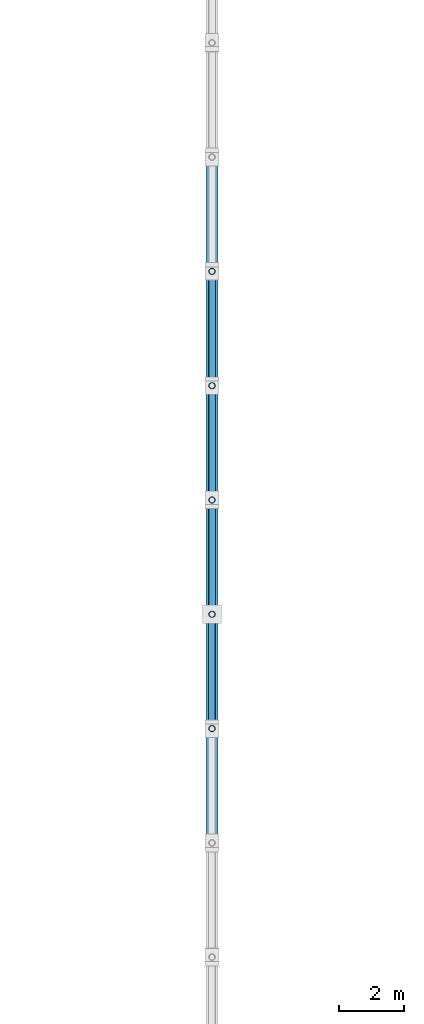
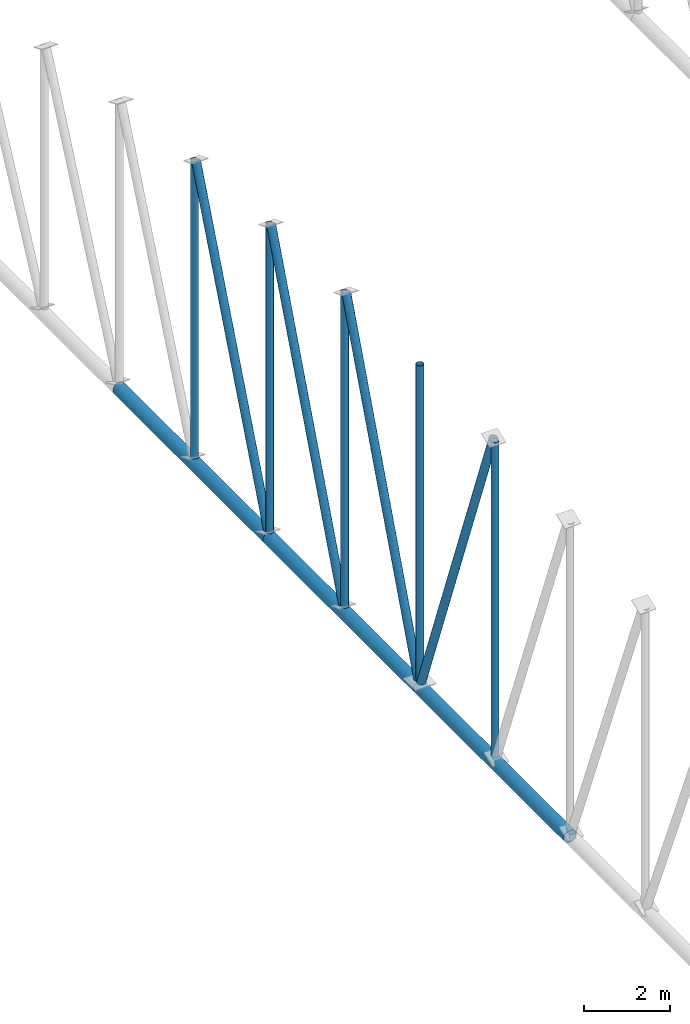
# One storey, part 62 of 196: 12 members.
"""IFC4 building model written with IfcOpenShell, lengths in metres."""

from ifc_helpers import new_model, si_unit, direction, frame, origin, origin_2d, place, context, subcontext, project, spatial, hollow_circle, extrude, material, material_profile, profile_set, type_object, element, save


model = new_model("IFC4")

# Units and contexts
model_context = context("Model", 3, precision=1e-05, world=origin(), true_north=direction((0.0, 1.0)))
body_context = subcontext(model_context, "Body", "Model", "MODEL_VIEW")
ifc_project = project(units=[si_unit("LENGTHUNIT", "METRE"), si_unit("AREAUNIT", "SQUARE_METRE"), si_unit("VOLUMEUNIT", "CUBIC_METRE"), si_unit("PLANEANGLEUNIT", "RADIAN"), si_unit("MASSUNIT", "GRAM", prefix="KILO")], contexts=[model_context])

# Site, building, storey
site_placement = place(None, origin())
site = spatial("IfcSite", under=ifc_project, at=site_placement, CompositionType="ELEMENT")
building_placement = place(site_placement, origin())
building = spatial("IfcBuilding", under=site, at=building_placement, Name="Okhra Congress Centre", CompositionType="ELEMENT")
storey_placement = place(building_placement, frame((0.0, 0.0, 12.0)))
storey = spatial("IfcBuildingStorey", under=building, at=storey_placement, Name="L02", CompositionType="ELEMENT", Elevation=12.0)

# Members
ifc_material = material(Name="Steel S355J2H", Category="steel")
ifc_material_profile_1 = material_profile(ifc_material, hollow_circle(Radius=0.096923828125, WallThickness=0.008056640625, at=origin_2d()), Name="CHS 193.7x8.0")
ifc_profile_set_1 = profile_set([ifc_material_profile_1], Name="Steel S355J2H")
member_type_1 = type_object("IfcMemberType", Name="CHS 193.7x8.0", PredefinedType="POST", material=ifc_profile_set_1)
member_1_placement = place(storey_placement, frame((64.0, 170.5, 1.577880859375), z_axis=(0.0, 0.0, 1.0), x_axis=(1.0, 0.0, 0.0)))
element("IfcMember", 1, at=member_1_placement, inside=storey, type_object=member_type_1, Name="EH.MEM.L02.T3-VER-11", PredefinedType="POST", context=body_context, shape_type="SweptSolid", body=[
    extrude(hollow_circle(Radius=0.096923828125, WallThickness=0.008056640625, at=origin_2d()), origin(), (0.0, 0.0, 1.0), 8.95654296875),
])
member_2_placement = place(storey_placement, frame((64.0, 174.0, 1.577880859375), z_axis=(0.0, 0.0, 1.0), x_axis=(1.0, 0.0, 0.0)))
element("IfcMember", 2, at=member_2_placement, inside=storey, type_object=member_type_1, Name="EH.MEM.L02.T3-VER-12", PredefinedType="POST", context=body_context, shape_type="SweptSolid", body=[
    extrude(hollow_circle(Radius=0.096923828125, WallThickness=0.008056640625, at=origin_2d()), origin(), (0.0, 0.0, 1.0), 9.018798828125),
])
member_3_placement = place(storey_placement, frame((64.0, 177.5, 1.577880859375), z_axis=(0.0, 0.0, 1.0), x_axis=(1.0, 0.0, 0.0)))
element("IfcMember", 3, at=member_3_placement, inside=storey, type_object=member_type_1, Name="EH.MEM.L02.T3-VER-13", PredefinedType="POST", context=body_context, shape_type="SweptSolid", body=[
    extrude(hollow_circle(Radius=0.096923828125, WallThickness=0.008056640625, at=origin_2d()), origin(), (0.0, 0.0, 1.0), 8.95654296875),
])
member_4_placement = place(storey_placement, frame((64.0, 181.0, 1.577880859375), z_axis=(0.0, 0.0, 1.0), x_axis=(1.0, 0.0, 0.0)))
element("IfcMember", 4, at=member_4_placement, inside=storey, type_object=member_type_1, Name="EH.MEM.L02.T3-VER-14", PredefinedType="POST", context=body_context, shape_type="SweptSolid", body=[
    extrude(hollow_circle(Radius=0.096923828125, WallThickness=0.008056640625, at=origin_2d()), origin(), (0.0, 0.0, 1.0), 8.76953125),
])
member_5_placement = place(storey_placement, frame((64.0, 184.5, 1.577880859375), z_axis=(0.0, 0.0, 1.0), x_axis=(1.0, 0.0, 0.0)))
element("IfcMember", 5, at=member_5_placement, inside=storey, type_object=member_type_1, Name="EH.MEM.L02.T3-VER-15", PredefinedType="POST", context=body_context, shape_type="SweptSolid", body=[
    extrude(hollow_circle(Radius=0.096923828125, WallThickness=0.008056640625, at=origin_2d()), origin(), (0.0, 0.0, 1.0), 8.456787109375),
])
ifc_material_profile_2 = material_profile(ifc_material, hollow_circle(Radius=0.109619140625, WallThickness=0.010009765625, at=origin_2d()), Name="CHS 219.1x10.0")
ifc_profile_set_2 = profile_set([ifc_material_profile_2], Name="Steel S355J2H")
member_type_2 = type_object("IfcMemberType", Name="CHS 219.1x10.0", PredefinedType="BRACE", material=ifc_profile_set_2)
for number, where, z_axis, x_axis, name in (
    (6, (64.0, 170.568359375, 10.55517578125), (0.0, 0.35098669327, -0.936380446799), (-1.0, 0.0, 0.0), "EH.MEM.L02.T3-DIA-11"),
    (7, (64.0, 177.431640625, 10.55517578125), (0.0, -0.35098669327, -0.936380446799), (1.0, 0.0, 0.0), "EH.MEM.L02.T3-DIA-12"),
):
    element("IfcMember", number, at=place(storey_placement, frame(where, z_axis=z_axis, x_axis=x_axis)), inside=storey, type_object=member_type_2, Name=name, PredefinedType="BRACE", context=body_context, shape_type="SweptSolid", body=[
        extrude(hollow_circle(Radius=0.109619140625, WallThickness=0.010009765625, at=origin_2d()), origin(), (0.0, 0.0, 1.0), 9.587158203125),
    ])
member_6_placement = place(storey_placement, frame((64.0, 180.930908203125, 10.37060546875), z_axis=(0.0, -0.357217988255, -0.934021043054), x_axis=(1.0, 0.0, 0.0)))
element("IfcMember", 8, at=member_6_placement, inside=storey, type_object=member_type_2, Name="EH.MEM.L02.T3-DIA-13", PredefinedType="BRACE", context=body_context, shape_type="SweptSolid", body=[
    extrude(hollow_circle(Radius=0.109619140625, WallThickness=0.010009765625, at=origin_2d()), origin(), (0.0, 0.0, 1.0), 9.413818359375),
])
member_7_placement = place(storey_placement, frame((64.0, 184.429443359375, 10.060546875), z_axis=(0.0, -0.368181952794, -0.929753757528), x_axis=(1.0, 0.0, 0.0)))
element("IfcMember", 9, at=member_7_placement, inside=storey, type_object=member_type_2, Name="EH.MEM.L02.T3-DIA-14", PredefinedType="BRACE", context=body_context, shape_type="SweptSolid", body=[
    extrude(hollow_circle(Radius=0.109619140625, WallThickness=0.010009765625, at=origin_2d()), origin(), (0.0, 0.0, 1.0), 9.12353515625),
])
ifc_material_profile_3 = material_profile(ifc_material, hollow_circle(Radius=0.177734375, WallThickness=0.02001953125, at=origin_2d()), Name="CHS 355.6x20.0")
ifc_profile_set_3 = profile_set([ifc_material_profile_3], Name="Steel S355J2H")
member_type_3 = type_object("IfcMemberType", Name="CHS 355.6x20.0", PredefinedType="CHORD", material=ifc_profile_set_3)
for number, where, z_axis, x_axis, name in (
    (10, (64.0, 167.0, 1.39990234375), (0.0, 1.0, 0.0), (-1.0, 0.0, 0.0), "EH.MEM.L02.T3-BOT-06"),
    (11, (64.0, 174.0, 1.39990234375), (0.0, 1.0, 0.0), (-1.0, 0.0, 0.0), "EH.MEM.L02.T3-BOT-07"),
    (12, (64.0, 181.0, 1.39990234375), (0.0, 1.0, 0.0), (-1.0, 0.0, 0.0), "EH.MEM.L02.T3-BOT-08"),
):
    element("IfcMember", number, at=place(storey_placement, frame(where, z_axis=z_axis, x_axis=x_axis)), inside=storey, type_object=member_type_3, Name=name, PredefinedType="CHORD", context=body_context, shape_type="SweptSolid", body=[
        extrude(hollow_circle(Radius=0.177734375, WallThickness=0.02001953125, at=origin_2d()), origin(), (0.0, 0.0, 1.0), 7.0),
    ])

save(model, "model.ifc")
